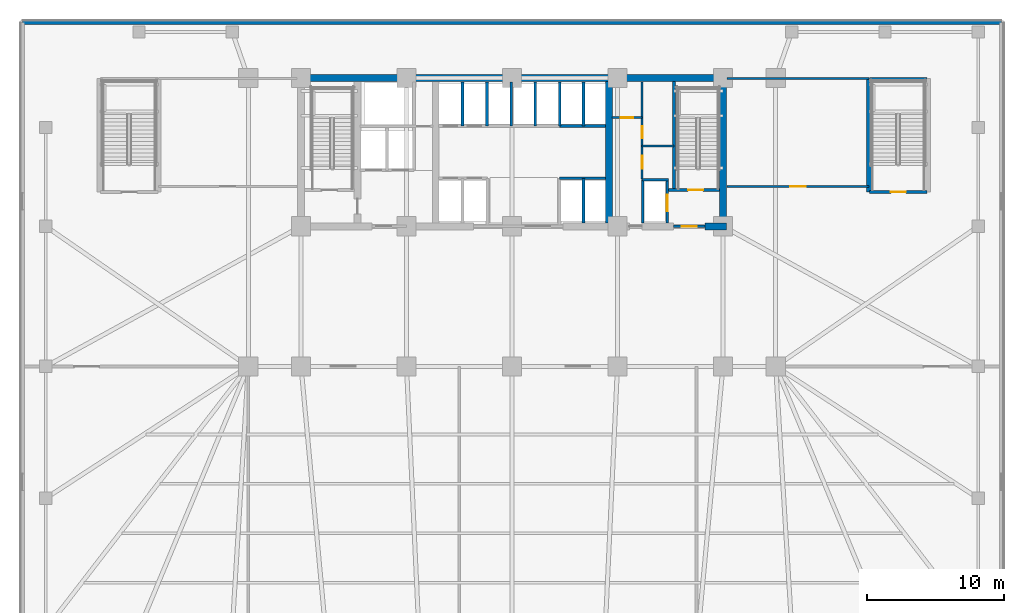
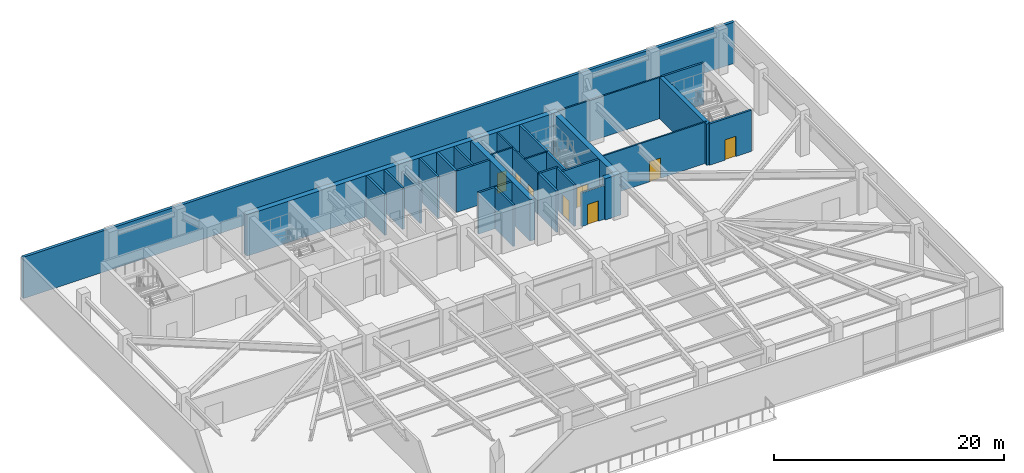
# One storey, part 9 of 15: 28 walls, 8 doors, 8 openings.
"""IFC4 building model written with IfcOpenShell, lengths in metres."""

from ifc_helpers import new_model, si_unit, direction, frame, frame_2d, origin, place, context, subcontext, project, spatial, rectangle, extrude, material, layer, layer_set, type_object, element, fill, save


model = new_model("IFC4")

# Units and contexts
model_context = context("Model", 3, precision=1e-05, world=origin(), true_north=direction((0.0, 1.0)))
body_context = subcontext(model_context, "Body", "Model", "MODEL_VIEW")
ifc_project = project(units=[si_unit("LENGTHUNIT", "METRE"), si_unit("AREAUNIT", "SQUARE_METRE"), si_unit("VOLUMEUNIT", "CUBIC_METRE"), si_unit("PLANEANGLEUNIT", "RADIAN"), si_unit("MASSUNIT", "GRAM", prefix="KILO")], contexts=[model_context])

# Site, building, storey
site_placement = place(None, origin())
site = spatial("IfcSite", under=ifc_project, at=site_placement, CompositionType="ELEMENT")
building_placement = place(site_placement, origin())
building = spatial("IfcBuilding", under=site, at=building_placement, Name="Yelkora Congress Tower", CompositionType="ELEMENT")
storey_placement = place(building_placement, frame((0.0, 0.0, 20.39990234375)))
storey = spatial("IfcBuildingStorey", under=building, at=storey_placement, Name="L04", CompositionType="ELEMENT", Elevation=20.39990234375)

# Walls
ifc_material_1 = material(Name="Concrete C50/60", Category="concrete")
ifc_layer_1 = layer(ifc_material_1, 0.219970703125)
ifc_layer_set_1 = layer_set([ifc_layer_1], Name="Concrete C50/60")
wall_type_1 = type_object("IfcWallType", Name="WALL-CORE-INT-220", PredefinedType="SHEAR", material=ifc_layer_set_1)
wall_1_placement = place(storey_placement, frame((50.179931640625, 38.050048828125, 0.0), z_axis=(0.0, 0.0, 1.0), x_axis=(0.0, 1.0, 0.0)))
element("IfcWall", 1, at=wall_1_placement, inside=storey, type_object=wall_type_1, Name="L04 ST02 West Stair Shear Wall", PredefinedType="SHEAR", context=body_context, shape_type="SweptSolid", body=[
    extrude(rectangle(XDim=7.89990234375, YDim=0.219970703125, at=frame_2d((3.949951171875, 0.0))), origin(), (0.0, 0.0, 1.0), 4.380126953125),
])
ifc_layer_2 = layer(ifc_material_1, 0.39990234375)
ifc_layer_set_2 = layer_set([ifc_layer_2], Name="Concrete C50/60")
wall_type_2 = type_object("IfcWallType", Name="WALL-CORE-INT-400", PredefinedType="SHEAR", material=ifc_layer_set_2)
wall_2_placement = place(storey_placement, frame((64.39990234375, 37.89990234375, 0.0), z_axis=(0.0, 0.0, 1.0), x_axis=(0.0, 1.0, 0.0)))
element("IfcWall", 2, at=wall_2_placement, inside=storey, type_object=wall_type_2, Name="L04 STP2 West Shear Wall", PredefinedType="SHEAR", context=body_context, shape_type="SweptSolid", body=[
    extrude(rectangle(XDim=8.25, YDim=0.39990234375, at=frame_2d((4.125, 0.0))), origin(), (0.0, 0.0, 1.0), 4.380126953125),
])
ifc_material_2 = material(Name="Concrete C60/75", Category="concrete")
ifc_layer_3 = layer(ifc_material_2, 0.5)
ifc_layer_set_3 = layer_set([ifc_layer_3], Name="Concrete C60/75")
wall_type_3 = type_object("IfcWallType", Name="WALL-CORE-INT-500", PredefinedType="SHEAR", material=ifc_layer_set_3)
wall_3_placement = place(storey_placement, frame((22.7900390625, 46.199951171875, 0.0), z_axis=(0.0, 0.0, 1.0), x_axis=(1.0, 0.0, 0.0)))
element("IfcWall", 3, at=wall_3_placement, inside=storey, type_object=wall_type_3, Name="L04 Rear Core North Shear Wall", PredefinedType="SHEAR", context=body_context, shape_type="SweptSolid", body=[
    extrude(rectangle(XDim=31.219970703125, YDim=0.5, at=frame_2d((15.60986328125, 0.0))), origin(), (0.0, 0.0, 1.0), 4.380126953125),
])
wall_4_placement = place(storey_placement, frame((52.449951171875, 35.39990234375, 0.0), z_axis=(0.0, 0.0, 1.0), x_axis=(1.0, 0.0, 0.0)))
element("IfcWall", 4, at=wall_4_placement, inside=storey, type_object=wall_type_3, Name="L04 Rear Core South-East Shear Wall B", PredefinedType="SHEAR", context=body_context, shape_type="SweptSolid", body=[
    extrude(rectangle(XDim=1.56005859375, YDim=0.5, at=frame_2d((0.780029296875, 0.0))), origin(), (0.0, 0.0, 1.0), 4.380126953125),
])
for number, where, z_axis, x_axis, name in (
    (5, (45.449951171875, 35.64990234375, 0.0), (0.0, 0.0, 1.0), (0.0, 1.0, 0.0), "L04 Rear Core Cross Shear Wall C3"),
    (6, (53.760009765625, 35.64990234375, 0.0), (0.0, 0.0, 1.0), (0.0, 1.0, 0.0), "L04 Rear Core Cross Shear Wall E"),
):
    element("IfcWall", number, at=place(storey_placement, frame(where, z_axis=z_axis, x_axis=x_axis)), inside=storey, type_object=wall_type_3, Name=name, PredefinedType="SHEAR", context=body_context, shape_type="SweptSolid", body=[
        extrude(rectangle(XDim=10.300048828125, YDim=0.5, at=frame_2d((5.14990234375, 0.0))), origin(), (0.0, 0.0, 1.0), 4.380126953125),
    ])
ifc_material_3 = material(Name="Concrete C40/50", Category="concrete")
ifc_layer_4 = layer(ifc_material_3, 0.280029296875)
ifc_layer_set_4 = layer_set([ifc_layer_4], Name="Concrete C40/50")
wall_type_4 = type_object("IfcWallType", Name="WALL-EXT-LIMESTONE-280", PredefinedType="SOLIDWALL", material=ifc_layer_set_4)
wall_5_placement = place(storey_placement, frame((2.760009765625, 50.239990234375, 0.0), z_axis=(0.0, 0.0, 1.0), x_axis=(1.0, 0.0, 0.0)))
element("IfcWall", 7, at=wall_5_placement, inside=storey, type_object=wall_type_4, Name="L04 Podium Limestone Wall 2", PredefinedType="SOLIDWALL", context=body_context, shape_type="SweptSolid", body=[
    extrude(rectangle(XDim=71.280029296875, YDim=0.280029296875, at=frame_2d((35.64013671875, 0.0))), origin(), (0.0, 0.0, 1.0), 4.380126953125),
])

# Wall, opening, door
ifc_material_4 = material(Name="Acoustic metal-stud gypsum partition", Category="gypsum")
ifc_layer_5 = layer(ifc_material_4, 0.14990234375)
ifc_layer_set_5 = layer_set([ifc_layer_5], Name="Acoustic metal-stud gypsum partition")
wall_type_5 = type_object("IfcWallType", Name="WALL-INT-150-NR", PredefinedType="PARTITIONING", material=ifc_layer_set_5)
wall_6_placement = place(storey_placement, frame((45.679931640625, 43.31005859375, 0.0), z_axis=(0.0, 0.0, 1.0), x_axis=(1.0, 0.0, 0.0)))
wall_6 = element("IfcWall", 8, at=wall_6_placement, inside=storey, type_object=wall_type_5, Name="L04 Partition Wall 28", PredefinedType="PARTITIONING", context=body_context, shape_type="SweptSolid", body=[
    extrude(rectangle(XDim=2.199951171875, YDim=0.14990234375, at=frame_2d((1.10009765625, 0.0))), origin(), (0.0, 0.0, 1.0), 4.380126953125),
])
opening_1_placement = place(wall_6_placement, frame((0.64990234375, 0.0, 0.0)))
opening_1 = element("IfcOpeningElement", 9, at=opening_1_placement, cuts=wall_6, Name="Opening DR-090N", PredefinedType="OPENING", context=body_context, shape_type="SweptSolid", body=[
    extrude(rectangle(XDim=0.89990234375, YDim=2.14990234375, at=frame_2d((0.449951171875, 1.074951171875))), frame((0.0, 0.0849609375, 0.0), z_axis=(0.0, -1.0, 0.0), x_axis=(1.0, 0.0, 0.0)), (0.0, 0.0, 1.0), 0.169921875),
])
ifc_material_5 = material(Name="Moisture-resistant laminate door leaf", Category="wood")
door_type_1 = type_object("IfcDoorType", Name="DOOR-INT-900", OperationType="NOTDEFINED", PredefinedType="DOOR", material=ifc_material_5)
door_1_placement = place(opening_1_placement, origin())
door_1 = element("IfcDoor", 10, at=door_1_placement, inside=storey, type_object=door_type_1, Name="L04 Male WC Door", OperationType="SINGLE_SWING_RIGHT", OverallHeight=2.14990234375, OverallWidth=0.89990234375, PredefinedType="DOOR", context=body_context, shape_type="SweptSolid", body=[
    extrude(rectangle(XDim=0.89990234375, YDim=2.14990234375, at=frame_2d((0.449951171875, 1.074951171875))), frame((0.0, 0.02490234375, 0.0), z_axis=(0.0, -1.0, 0.0), x_axis=(1.0, 0.0, 0.0)), (0.0, 0.0, 1.0), 0.050048828125),
])
fill(opening_1, door_1)

# Wall
wall_7_placement = place(storey_placement, frame((47.8798828125, 41.260009765625, 0.0), z_axis=(0.0, 0.0, 1.0), x_axis=(1.0, 0.0, 0.0)))
element("IfcWall", 11, at=wall_7_placement, inside=storey, type_object=wall_type_5, Name="L04 Partition Wall 29", PredefinedType="PARTITIONING", context=body_context, shape_type="SweptSolid", body=[
    extrude(rectangle(XDim=2.300048828125, YDim=0.14990234375, at=frame_2d((1.14990234375, 0.0))), origin(), (0.0, 0.0, 1.0), 4.380126953125),
])

# Wall, openings, doors
wall_8_placement = place(storey_placement, frame((47.8798828125, 38.85009765625, 0.0), z_axis=(0.0, 0.0, 1.0), x_axis=(0.0, 1.0, 0.0)))
wall_8 = element("IfcWall", 12, at=wall_8_placement, inside=storey, type_object=wall_type_5, Name="L04 Partition Wall 30", PredefinedType="PARTITIONING", context=body_context, shape_type="SweptSolid", body=[
    extrude(rectangle(XDim=7.06982421875, YDim=0.14990234375, at=frame_2d((3.534912109375, 0.0))), origin(), (0.0, 0.0, 1.0), 4.380126953125),
])
opening_2_placement = place(wall_8_placement, frame((0.75, 0.0, 0.0)))
opening_2 = element("IfcOpeningElement", 13, at=opening_2_placement, cuts=wall_8, Name="Opening DR-095N", PredefinedType="OPENING", context=body_context, shape_type="SweptSolid", body=[
    extrude(rectangle(XDim=0.949951171875, YDim=2.14990234375, at=frame_2d((0.47509765625, 1.074951171875))), frame((0.0, 0.0849609375, 0.0), z_axis=(0.0, -1.0, 0.0), x_axis=(1.0, 0.0, 0.0)), (0.0, 0.0, 1.0), 0.169921875),
])
opening_3_placement = place(wall_8_placement, frame((2.949951171875, 0.0, 0.0)))
opening_3 = element("IfcOpeningElement", 14, at=opening_3_placement, cuts=wall_8, Name="Opening DR-090N", PredefinedType="OPENING", context=body_context, shape_type="SweptSolid", body=[
    extrude(rectangle(XDim=0.89990234375, YDim=2.14990234375, at=frame_2d((0.449951171875, 1.074951171875))), frame((0.0, 0.0849609375, 0.0), z_axis=(0.0, -1.0, 0.0), x_axis=(1.0, 0.0, 0.0)), (0.0, 0.0, 1.0), 0.169921875),
])
door_2_placement = place(opening_3_placement, origin())
door_2 = element("IfcDoor", 15, at=door_2_placement, inside=storey, type_object=door_type_1, Name="L04 Female WC Door", OperationType="SINGLE_SWING_RIGHT", OverallHeight=2.14990234375, OverallWidth=0.89990234375, PredefinedType="DOOR", context=body_context, shape_type="SweptSolid", body=[
    extrude(rectangle(XDim=0.89990234375, YDim=2.14990234375, at=frame_2d((0.449951171875, 1.074951171875))), frame((0.0, 0.02490234375, 0.0), z_axis=(0.0, -1.0, 0.0), x_axis=(1.0, 0.0, 0.0)), (0.0, 0.0, 1.0), 0.050048828125),
])
fill(opening_3, door_2)
ifc_material_6 = material(Name="Acoustic laminated timber office door", Category="wood")
door_type_2 = type_object("IfcDoorType", Name="DOOR-INT-950", OperationType="NOTDEFINED", PredefinedType="DOOR", material=ifc_material_6)
door_3_placement = place(opening_2_placement, origin())
door_3 = element("IfcDoor", 16, at=door_3_placement, inside=storey, type_object=door_type_2, Name="L04 Accessible WC Door", OperationType="SINGLE_SWING_LEFT", OverallHeight=2.14990234375, OverallWidth=0.949951171875, PredefinedType="DOOR", context=body_context, shape_type="SweptSolid", body=[
    extrude(rectangle(XDim=0.949951171875, YDim=2.14990234375, at=frame_2d((0.47509765625, 1.074951171875))), frame((0.0, 0.02490234375, 0.0), z_axis=(0.0, -1.0, 0.0), x_axis=(1.0, 0.0, 0.0)), (0.0, 0.0, 1.0), 0.050048828125),
])
fill(opening_2, door_3)

# Wall, opening, door
wall_9_placement = place(storey_placement, frame((54.050048828125, 38.300048828125, 0.0), z_axis=(0.0, 0.0, 1.0), x_axis=(1.0, 0.0, 0.0)))
wall_9 = element("IfcWall", 17, at=wall_9_placement, inside=storey, type_object=wall_type_5, Name="L04 Partition Wall 37", PredefinedType="PARTITIONING", context=body_context, shape_type="SweptSolid", body=[
    extrude(rectangle(XDim=10.349853515625, YDim=0.14990234375, at=frame_2d((5.1748046875, 0.0))), origin(), (0.0, 0.0, 1.0), 4.380126953125),
])
opening_4_placement = place(wall_9_placement, frame((4.625, 0.0, 0.0)))
opening_4 = element("IfcOpeningElement", 18, at=opening_4_placement, cuts=wall_9, Name="Opening DR-110N", PredefinedType="OPENING", context=body_context, shape_type="SweptSolid", body=[
    extrude(rectangle(XDim=1.10009765625, YDim=2.14990234375, at=frame_2d((0.550048828125, 1.074951171875))), frame((0.0, 0.0849609375, 0.0), z_axis=(0.0, -1.0, 0.0), x_axis=(1.0, 0.0, 0.0)), (0.0, 0.0, 1.0), 0.169921875),
])
ifc_material_7 = material(Name="Solid-core Anatolian oak veneer door", Category="wood")
door_type_3 = type_object("IfcDoorType", Name="DOOR-INT-1100", OperationType="NOTDEFINED", PredefinedType="DOOR", material=ifc_material_7)
door_4_placement = place(opening_4_placement, origin())
door_4 = element("IfcDoor", 19, at=door_4_placement, inside=storey, type_object=door_type_3, Name="L04 Interior Door 20", OperationType="SINGLE_SWING_RIGHT", OverallHeight=2.14990234375, OverallWidth=1.10009765625, PredefinedType="DOOR", context=body_context, shape_type="SweptSolid", body=[
    extrude(rectangle(XDim=1.10009765625, YDim=2.14990234375, at=frame_2d((0.550048828125, 1.074951171875))), frame((0.0, 0.02490234375, 0.0), z_axis=(0.0, -1.0, 0.0), x_axis=(1.0, 0.0, 0.0)), (0.0, 0.0, 1.0), 0.050048828125),
])
fill(opening_4, door_4)

# Walls
wall_10_placement = place(storey_placement, frame((54.050048828125, 46.14990234375, 0.0), z_axis=(0.0, 0.0, 1.0), x_axis=(1.0, 0.0, 0.0)))
element("IfcWall", 20, at=wall_10_placement, inside=storey, type_object=wall_type_5, Name="L04 Partition Wall 38", PredefinedType="PARTITIONING", context=body_context, shape_type="SweptSolid", body=[
    extrude(rectangle(XDim=10.349853515625, YDim=0.14990234375, at=frame_2d((5.1748046875, 0.0))), origin(), (0.0, 0.0, 1.0), 4.380126953125),
])
ifc_material_8 = material(Name="Autoclaved aerated concrete blockwork", Category="masonry")
ifc_layer_6 = layer(ifc_material_8, 0.199951171875)
ifc_layer_set_6 = layer_set([ifc_layer_6], Name="Autoclaved aerated concrete blockwork")
wall_type_6 = type_object("IfcWallType", Name="WALL-INT-200-R120", PredefinedType="PARTITIONING", material=ifc_layer_set_6)
wall_11_placement = place(storey_placement, frame((38.35009765625, 42.699951171875, 0.0), z_axis=(0.0, 0.0, 1.0), x_axis=(0.0, 1.0, 0.0)))
element("IfcWall", 21, at=wall_11_placement, inside=storey, type_object=wall_type_6, Name="L04 Partition Wall 9", PredefinedType="PARTITIONING", context=body_context, shape_type="SweptSolid", body=[
    extrude(rectangle(XDim=3.219970703125, YDim=0.199951171875, at=frame_2d((1.60986328125, 0.0))), origin(), (0.0, 0.0, 1.0), 3.5751953125),
])
for number, where, z_axis, x_axis, name in (
    (22, (40.10009765625, 42.699951171875, 0.0), (0.0, 0.0, 1.0), (0.0, 1.0, 0.0), "L04 Partition Wall 10"),
    (23, (34.800048828125, 42.699951171875, 0.0), (0.0, 0.0, 1.0), (0.0, 1.0, 0.0), "L04 Partition Wall 14"),
    (24, (36.580078125, 42.699951171875, 0.0), (0.0, 0.0, 1.0), (0.0, 1.0, 0.0), "L04 Partition Wall 16"),
):
    element("IfcWall", number, at=place(storey_placement, frame(where, z_axis=z_axis, x_axis=x_axis)), inside=storey, type_object=wall_type_6, Name=name, PredefinedType="PARTITIONING", context=body_context, shape_type="SweptSolid", body=[
        extrude(rectangle(XDim=3.219970703125, YDim=0.199951171875, at=frame_2d((1.60986328125, 0.0))), origin(), (0.0, 0.0, 1.0), 4.380126953125),
    ])
for number, where, z_axis, x_axis, name in (
    (25, (41.85009765625, 38.89990234375, 0.0), (0.0, 0.0, 1.0), (1.0, 0.0, 0.0), "L04 Partition Wall 17"),
    (26, (41.85009765625, 42.699951171875, 0.0), (0.0, 0.0, 1.0), (1.0, 0.0, 0.0), "L04 Partition Wall 18"),
):
    element("IfcWall", number, at=place(storey_placement, frame(where, z_axis=z_axis, x_axis=x_axis)), inside=storey, type_object=wall_type_6, Name=name, PredefinedType="PARTITIONING", context=body_context, shape_type="SweptSolid", body=[
        extrude(rectangle(XDim=3.369873046875, YDim=0.199951171875, at=frame_2d((1.68505859375, 0.0))), origin(), (0.0, 0.0, 1.0), 4.380126953125),
    ])
wall_12_placement = place(storey_placement, frame((43.60009765625, 35.64990234375, 0.0), z_axis=(0.0, 0.0, 1.0), x_axis=(0.0, 1.0, 0.0)))
element("IfcWall", 27, at=wall_12_placement, inside=storey, type_object=wall_type_6, Name="L04 Partition Wall 19", PredefinedType="PARTITIONING", context=body_context, shape_type="SweptSolid", body=[
    extrude(rectangle(XDim=3.25, YDim=0.199951171875, at=frame_2d((1.625, 0.0))), origin(), (0.0, 0.0, 1.0), 4.380126953125),
])
for number, where, z_axis, x_axis, name in (
    (28, (43.60009765625, 42.699951171875, 0.0), (0.0, 0.0, 1.0), (0.0, 1.0, 0.0), "L04 Partition Wall 20"),
    (29, (41.8798828125, 42.699951171875, 0.0), (0.0, 0.0, 1.0), (0.0, 1.0, 0.0), "L04 Partition Wall 22"),
):
    element("IfcWall", number, at=place(storey_placement, frame(where, z_axis=z_axis, x_axis=x_axis)), inside=storey, type_object=wall_type_6, Name=name, PredefinedType="PARTITIONING", context=body_context, shape_type="SweptSolid", body=[
        extrude(rectangle(XDim=3.219970703125, YDim=0.199951171875, at=frame_2d((1.60986328125, 0.0))), origin(), (0.0, 0.0, 1.0), 4.380126953125),
    ])

# Wall, opening, door
wall_13_placement = place(storey_placement, frame((49.780029296875, 38.050048828125, 0.0), z_axis=(0.0, 0.0, 1.0), x_axis=(1.0, 0.0, 0.0)))
wall_13 = element("IfcWall", 30, at=wall_13_placement, inside=storey, type_object=wall_type_6, Name="L04 Stair ST-02 Enclosure Wall", PredefinedType="PARTITIONING", context=body_context, shape_type="SweptSolid", body=[
    extrude(rectangle(XDim=3.719970703125, YDim=0.199951171875, at=frame_2d((1.85986328125, 0.0))), origin(), (0.0, 0.0, 1.0), 4.380126953125),
])
opening_5_placement = place(wall_13_placement, frame((1.436279296875, 0.0, 0.0)))
opening_5 = element("IfcOpeningElement", 31, at=opening_5_placement, cuts=wall_13, Name="Opening DR-110F9", PredefinedType="OPENING", context=body_context, shape_type="SweptSolid", body=[
    extrude(rectangle(XDim=1.10009765625, YDim=2.14990234375, at=frame_2d((0.550048828125, 1.074951171875))), frame((0.0, 0.10986328125, 0.0), z_axis=(0.0, -1.0, 0.0), x_axis=(1.0, 0.0, 0.0)), (0.0, 0.0, 1.0), 0.219970703125),
])
ifc_material_9 = material(Name="Galvanised steel fire door leaf", Category="steel")
door_type_4 = type_object("IfcDoorType", Name="DOOR-FD90-1100", OperationType="NOTDEFINED", PredefinedType="DOOR", material=ifc_material_9)
door_5_placement = place(opening_5_placement, origin())
door_5 = element("IfcDoor", 32, at=door_5_placement, inside=storey, type_object=door_type_4, Name="L04 Stair ST-02 Entry Door", OperationType="SINGLE_SWING_LEFT", OverallHeight=2.14990234375, OverallWidth=1.10009765625, PredefinedType="DOOR", context=body_context, shape_type="SweptSolid", body=[
    extrude(rectangle(XDim=1.10009765625, YDim=2.14990234375, at=frame_2d((0.550048828125, 1.074951171875))), frame((0.0, 0.02490234375, 0.0), z_axis=(0.0, -1.0, 0.0), x_axis=(1.0, 0.0, 0.0)), (0.0, 0.0, 1.0), 0.050048828125),
])
fill(opening_5, door_5)

wall_14_placement = place(storey_placement, frame((50.14990234375, 35.39990234375, 0.0), z_axis=(0.0, 0.0, 1.0), x_axis=(1.0, 0.0, 0.0)))
wall_14 = element("IfcWall", 33, at=wall_14_placement, inside=storey, type_object=wall_type_6, Name="L04 Partition Wall 24", PredefinedType="PARTITIONING", context=body_context, shape_type="SweptSolid", body=[
    extrude(rectangle(XDim=2.300048828125, YDim=0.199951171875, at=frame_2d((1.14990234375, 0.0))), origin(), (0.0, 0.0, 1.0), 3.5751953125),
])
opening_6_placement = place(wall_14_placement, frame((0.60009765625, 0.0, 0.0)))
opening_6 = element("IfcOpeningElement", 34, at=opening_6_placement, cuts=wall_14, Name="Opening DR-110F9", PredefinedType="OPENING", context=body_context, shape_type="SweptSolid", body=[
    extrude(rectangle(XDim=1.10009765625, YDim=2.14990234375, at=frame_2d((0.550048828125, 1.074951171875))), frame((0.0, 0.10986328125, 0.0), z_axis=(0.0, -1.0, 0.0), x_axis=(1.0, 0.0, 0.0)), (0.0, 0.0, 1.0), 0.219970703125),
])
door_6_placement = place(opening_6_placement, origin())
door_6 = element("IfcDoor", 35, at=door_6_placement, inside=storey, type_object=door_type_4, Name="L04 East Stair Lobby Door", OperationType="SINGLE_SWING_RIGHT", OverallHeight=2.14990234375, OverallWidth=1.10009765625, PredefinedType="DOOR", context=body_context, shape_type="SweptSolid", body=[
    extrude(rectangle(XDim=1.10009765625, YDim=2.14990234375, at=frame_2d((0.550048828125, 1.074951171875))), frame((0.0, 0.02490234375, 0.0), z_axis=(0.0, -1.0, 0.0), x_axis=(1.0, 0.0, 0.0)), (0.0, 0.0, 1.0), 0.050048828125),
])
fill(opening_6, door_6)

wall_15_placement = place(storey_placement, frame((49.699951171875, 35.64990234375, 0.0), z_axis=(0.0, 0.0, 1.0), x_axis=(0.0, 1.0, 0.0)))
wall_15 = element("IfcWall", 36, at=wall_15_placement, inside=storey, type_object=wall_type_6, Name="L04 Partition Wall 25", PredefinedType="PARTITIONING", context=body_context, shape_type="SweptSolid", body=[
    extrude(rectangle(XDim=3.150146484375, YDim=0.199951171875, at=frame_2d((1.5751953125, 0.0))), origin(), (0.0, 0.0, 1.0), 4.380126953125),
])
opening_7_placement = place(wall_15_placement, frame((0.85009765625, 0.0, 0.0)))
opening_7 = element("IfcOpeningElement", 37, at=opening_7_placement, cuts=wall_15, Name="Opening LD-SV12", PredefinedType="OPENING", context=body_context, shape_type="SweptSolid", body=[
    extrude(rectangle(XDim=1.199951171875, YDim=2.199951171875, at=frame_2d((0.60009765625, 1.10009765625))), frame((0.0, 0.10986328125, 0.0), z_axis=(0.0, -1.0, 0.0), x_axis=(1.0, 0.0, 0.0)), (0.0, 0.0, 1.0), 0.219970703125),
])
ifc_material_10 = material(Name="Heavy-duty stainless steel landing door", Category="steel")
door_type_5 = type_object("IfcDoorType", Name="DOOR-LIFT-SRV-1200", OperationType="DOUBLE_DOOR_SLIDING", PredefinedType="DOOR", material=ifc_material_10)
door_7_placement = place(opening_7_placement, origin())
door_7 = element("IfcDoor", 38, at=door_7_placement, inside=storey, type_object=door_type_5, Name="Service Lift Landing Door LF-SV1 L04", OperationType="DOUBLE_DOOR_SLIDING", OverallHeight=2.199951171875, OverallWidth=1.199951171875, PredefinedType="DOOR", context=body_context, shape_type="SweptSolid", body=[
    extrude(rectangle(XDim=1.199951171875, YDim=2.199951171875, at=frame_2d((0.60009765625, 1.10009765625))), frame((0.0, 0.02490234375, 0.0), z_axis=(0.0, -1.0, 0.0), x_axis=(1.0, 0.0, 0.0)), (0.0, 0.0, 1.0), 0.050048828125),
])
fill(opening_7, door_7)

# Walls
wall_16_placement = place(storey_placement, frame((47.919921875, 35.64990234375, 0.0), z_axis=(0.0, 0.0, 1.0), x_axis=(0.0, 1.0, 0.0)))
element("IfcWall", 39, at=wall_16_placement, inside=storey, type_object=wall_type_6, Name="L04 Partition Wall 26", PredefinedType="PARTITIONING", context=body_context, shape_type="SweptSolid", body=[
    extrude(rectangle(XDim=3.150146484375, YDim=0.199951171875, at=frame_2d((1.5751953125, 0.0))), origin(), (0.0, 0.0, 1.0), 4.380126953125),
])
wall_17_placement = place(storey_placement, frame((47.919921875, 38.800048828125, 0.0), z_axis=(0.0, 0.0, 1.0), x_axis=(1.0, 0.0, 0.0)))
element("IfcWall", 40, at=wall_17_placement, inside=storey, type_object=wall_type_6, Name="L04 Partition Wall 27", PredefinedType="PARTITIONING", context=body_context, shape_type="SweptSolid", body=[
    extrude(rectangle(XDim=1.860107421875, YDim=0.199951171875, at=frame_2d((0.93017578125, 0.0))), origin(), (0.0, 0.0, 1.0), 4.380126953125),
])

# Wall, opening, door
wall_18_placement = place(storey_placement, frame((64.43994140625, 37.89990234375, 0.0), z_axis=(0.0, 0.0, 1.0), x_axis=(1.0, 0.0, 0.0)))
wall_18 = element("IfcWall", 41, at=wall_18_placement, inside=storey, type_object=wall_type_6, Name="L04 Partition Wall 33", PredefinedType="PARTITIONING", context=body_context, shape_type="SweptSolid", body=[
    extrude(rectangle(XDim=4.18017578125, YDim=0.199951171875, at=frame_2d((2.090087890625, 0.0))), origin(), (0.0, 0.0, 1.0), 4.380126953125),
])
opening_8_placement = place(wall_18_placement, frame((1.5400390625, 0.0, 0.0)))
opening_8 = element("IfcOpeningElement", 42, at=opening_8_placement, cuts=wall_18, Name="Opening DR-110F9", PredefinedType="OPENING", context=body_context, shape_type="SweptSolid", body=[
    extrude(rectangle(XDim=1.10009765625, YDim=2.14990234375, at=frame_2d((0.550048828125, 1.074951171875))), frame((0.0, 0.10986328125, 0.0), z_axis=(0.0, -1.0, 0.0), x_axis=(1.0, 0.0, 0.0)), (0.0, 0.0, 1.0), 0.219970703125),
])
door_8_placement = place(opening_8_placement, origin())
door_8 = element("IfcDoor", 43, at=door_8_placement, inside=storey, type_object=door_type_4, Name="L04 ST-P2 Door", OperationType="SINGLE_SWING_RIGHT", OverallHeight=2.14990234375, OverallWidth=1.10009765625, PredefinedType="DOOR", context=body_context, shape_type="SweptSolid", body=[
    extrude(rectangle(XDim=1.10009765625, YDim=2.14990234375, at=frame_2d((0.550048828125, 1.074951171875))), frame((0.0, 0.02490234375, 0.0), z_axis=(0.0, -1.0, 0.0), x_axis=(1.0, 0.0, 0.0)), (0.0, 0.0, 1.0), 0.050048828125),
])
fill(opening_8, door_8)

# Wall
wall_19_placement = place(storey_placement, frame((64.43994140625, 46.14990234375, 0.0), z_axis=(0.0, 0.0, 1.0), x_axis=(1.0, 0.0, 0.0)))
element("IfcWall", 44, at=wall_19_placement, inside=storey, type_object=wall_type_6, Name="L04 Partition Wall 34", PredefinedType="PARTITIONING", context=body_context, shape_type="SweptSolid", body=[
    extrude(rectangle(XDim=4.18017578125, YDim=0.199951171875, at=frame_2d((2.090087890625, 0.0))), origin(), (0.0, 0.0, 1.0), 4.380126953125),
])

save(model, "model.ifc")
